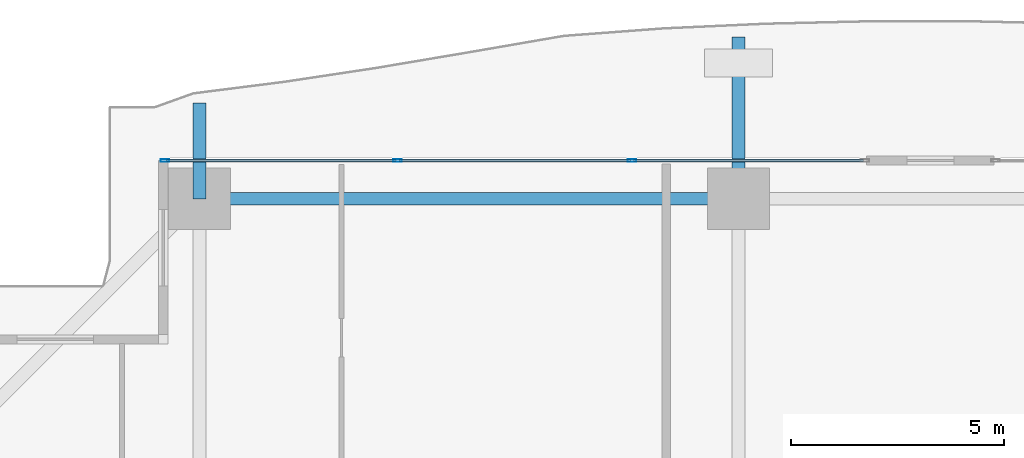
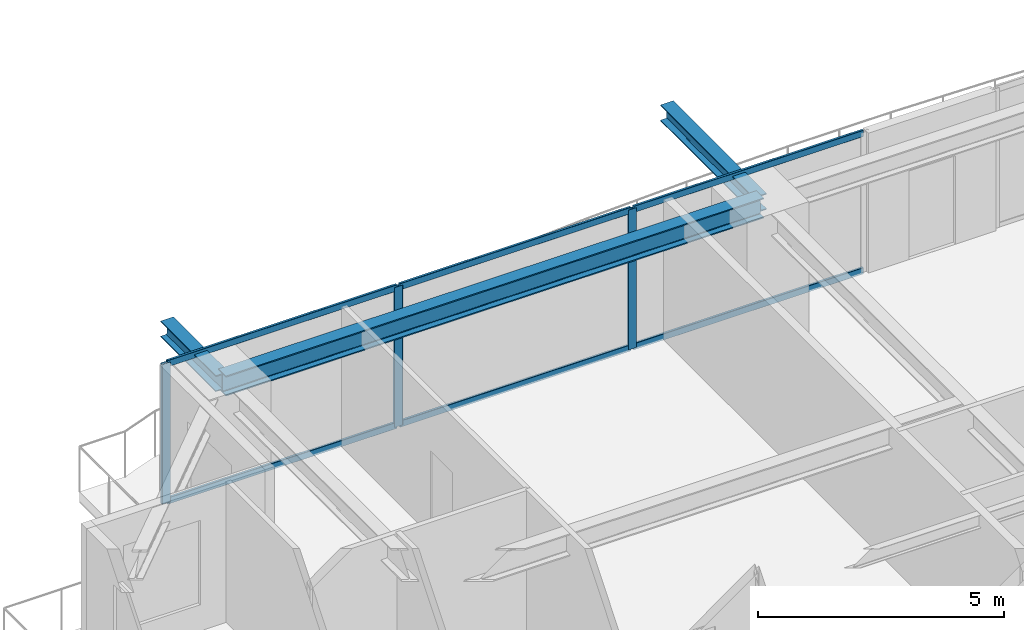
# One storey, part 20 of 38: 9 members, 3 beams, 1 element without a shape of its own.
"""IFC4 building model written with IfcOpenShell, lengths in metres."""

from ifc_helpers import new_model, si_unit, direction, frame, origin, origin_2d, place, context, subcontext, project, spatial, hollow_rectangle, i_section, extrude, source, transform, mapped, material, layer, layer_set, material_profile, profile_set, type_object, element, aggregate, save


model = new_model("IFC4")

# Units and contexts
model_context = context("Model", 3, precision=1e-05, world=origin(), true_north=direction((0.0, 1.0)))
body_context = subcontext(model_context, "Body", "Model", "MODEL_VIEW")
ifc_project = project(units=[si_unit("LENGTHUNIT", "METRE"), si_unit("AREAUNIT", "SQUARE_METRE"), si_unit("VOLUMEUNIT", "CUBIC_METRE"), si_unit("PLANEANGLEUNIT", "RADIAN"), si_unit("MASSUNIT", "GRAM", prefix="KILO")], contexts=[model_context])

# Site, building, storey
site_placement = place(None, origin())
site = spatial("IfcSite", under=ifc_project, at=site_placement, CompositionType="ELEMENT")
building_placement = place(site_placement, origin())
building = spatial("IfcBuilding", under=site, at=building_placement, Name="Serunith Strait Residences", CompositionType="ELEMENT")
storey_placement = place(building_placement, frame((0.0, 0.0, 37.949951171875)))
storey = spatial("IfcBuildingStorey", under=building, at=storey_placement, Name="L08", CompositionType="ELEMENT", Elevation=37.949951171875)

# Beams
ifc_material_1 = material(Name="Steel S355J2", Category="steel")
ifc_material_profile_1 = material_profile(ifc_material_1, i_section(OverallWidth=0.300048828125, OverallDepth=0.5, WebThickness=0.014404296875, FlangeThickness=0.028076171875, FilletRadius=0.027099609375, at=origin_2d()), Name="HEB 500")
ifc_profile_set_1 = profile_set([ifc_material_profile_1], Name="Steel S355J2")
beam_type_1 = type_object("IfcBeamType", Name="BM-HEB500", PredefinedType="BEAM", material=ifc_profile_set_1)
shared_shape_1 = source(origin(), body_context, "Body", "SweptSolid", [
    extrude(i_section(OverallWidth=0.300048828125, OverallDepth=0.5, WebThickness=0.014404296875, FlangeThickness=0.028076171875, FilletRadius=0.027099609375, at=origin_2d()), origin(), (0.0, 0.0, 1.0), 12.64990234375),
])
beam_1_placement = place(storey_placement, frame((27.89990234375, 49.300048828125, 3.237060546875), z_axis=(-1.0, 0.0, 0.0), x_axis=(0.0, -1.0, 0.0)))
element("IfcBeam", 1, at=beam_1_placement, inside=storey, type_object=beam_type_1, Name="L08 Perimeter Ring Beam 11", PredefinedType="BEAM", context=body_context, shape_type="MappedRepresentation", body=[
    mapped(shared_shape_1, transform((0.0, 0.0, 0.0), scale=1.0)),
])
ifc_material_profile_2 = material_profile(ifc_material_1, i_section(OverallWidth=0.300048828125, OverallDepth=0.39990234375, WebThickness=0.013427734375, FlangeThickness=0.02392578125, FilletRadius=0.027099609375, at=origin_2d()), Name="HEB 400")
ifc_profile_set_2 = profile_set([ifc_material_profile_2], Name="Steel S355J2")
beam_type_2 = type_object("IfcBeamType", Name="BM-HEB400", PredefinedType="BEAM", material=ifc_profile_set_2)
shared_shape_2 = source(origin(), body_context, "Body", "SweptSolid", [
    extrude(i_section(OverallWidth=0.300048828125, OverallDepth=0.39990234375, WebThickness=0.013427734375, FlangeThickness=0.02392578125, FilletRadius=0.027099609375, at=origin_2d()), origin(), (0.0, 0.0, 1.0), 3.800048828125),
])
beam_2_placement = place(storey_placement, frame((27.89990234375, 49.300048828125, 3.257080078125), z_axis=(0.0, 1.0, 0.0), x_axis=(-1.0, 0.0, 0.0)))
element("IfcBeam", 2, at=beam_2_placement, inside=storey, type_object=beam_type_2, Name="L09 Cantilevered Balcony Rib TC-N2", PredefinedType="BEAM", context=body_context, shape_type="MappedRepresentation", body=[
    mapped(shared_shape_2, transform((0.0, 0.0, 0.0), scale=1.0)),
])
shared_shape_3 = source(origin(), body_context, "Body", "SweptSolid", [
    extrude(i_section(OverallWidth=0.300048828125, OverallDepth=0.39990234375, WebThickness=0.013427734375, FlangeThickness=0.02392578125, FilletRadius=0.027099609375, at=origin_2d()), origin(), (0.0, 0.0, 1.0), 2.246337890625),
])
beam_3_placement = place(storey_placement, frame((15.25, 49.300048828125, 3.257080078125), z_axis=(0.0, 1.0, 0.0), x_axis=(-1.0, 0.0, 0.0)))
element("IfcBeam", 3, at=beam_3_placement, inside=storey, type_object=beam_type_2, Name="L09 Cantilevered Balcony Rib TC-N1", PredefinedType="BEAM", context=body_context, shape_type="MappedRepresentation", body=[
    mapped(shared_shape_3, transform((0.0, 0.0, 0.0), scale=1.0)),
])

# Curtain wall, members
ifc_material_2 = material(Name="Pale-Champagne Anodised Aluminium", Category="aluminium")
ifc_layer = layer(ifc_material_2, 0.199951171875, Name="Pale-Champagne Anodised Aluminium")
ifc_layer_set = layer_set([ifc_layer], Name="Pale-Champagne Anodised Aluminium")
curtain_wall_type = type_object("IfcCurtainWallType", Name="CW-SYS1", PredefinedType="NOTDEFINED", material=ifc_layer_set)
curtain_wall_placement = place(storey_placement, origin())
curtain_wall = element("IfcCurtainWall", 4, at=curtain_wall_placement, inside=storey, type_object=curtain_wall_type, Name="L08 N Unitised Fritted Curtain Wall", PredefinedType="NOTDEFINED")
ifc_material_profile_3 = material_profile(ifc_material_2, hollow_rectangle(XDim=0.070068359375, YDim=0.199951171875, WallThickness=0.00390625, InnerFilletRadius=0.006103515625, OuterFilletRadius=0.010009765625, at=origin_2d()), Name="ALU 200x70x4")
ifc_profile_set_3 = profile_set([ifc_material_profile_3], Name="Pale-Champagne Anodised Aluminium")
member_type_1 = type_object("IfcMemberType", Name="CW-SYS1-MULL", PredefinedType="MULLION", material=ifc_profile_set_3)
shared_shape_4 = source(origin(), body_context, "Body", "SweptSolid", [
    extrude(hollow_rectangle(XDim=0.070068359375, YDim=0.199951171875, WallThickness=0.00390625, InnerFilletRadius=0.006103515625, OuterFilletRadius=0.010009765625, at=origin_2d()), origin(), (0.0, 0.0, 1.0), 3.47509765625),
])
member_1_placement = place(storey_placement, frame((25.39990234375, 50.199951171875, 0.0), z_axis=(0.0, 0.0, 1.0), x_axis=(0.0, -1.0, 0.0)))
member_1 = element("IfcMember", 5, at=member_1_placement, type_object=member_type_1, Name="CW-1 mullion 2", PredefinedType="MULLION", context=body_context, shape_type="MappedRepresentation", body=[
    mapped(shared_shape_4, transform((0.0, 0.0, 0.0), scale=1.0)),
])
member_2_placement = place(storey_placement, frame((19.89990234375, 50.199951171875, 0.0), z_axis=(0.0, 0.0, 1.0), x_axis=(0.0, -1.0, 0.0)))
member_2 = element("IfcMember", 6, at=member_2_placement, type_object=member_type_1, Name="CW-1 mullion 3", PredefinedType="MULLION", context=body_context, shape_type="MappedRepresentation", body=[
    mapped(shared_shape_4, transform((0.0, 0.0, 0.0), scale=1.0)),
])
member_3_placement = place(storey_placement, frame((14.43505859375, 50.199951171875, 0.0), z_axis=(0.0, 0.0, 1.0), x_axis=(0.0, -1.0, 0.0)))
member_3 = element("IfcMember", 7, at=member_3_placement, type_object=member_type_1, Name="CW-1 mullion 4", PredefinedType="MULLION", context=body_context, shape_type="MappedRepresentation", body=[
    mapped(shared_shape_4, transform((0.0, 0.0, 0.0), scale=1.0)),
])
ifc_material_profile_4 = material_profile(ifc_material_2, hollow_rectangle(XDim=0.06005859375, YDim=0.159912109375, WallThickness=0.00341796875, InnerFilletRadius=0.00537109375, OuterFilletRadius=0.0087890625, at=origin_2d()), Name="ALU 160x60x3.5")
ifc_profile_set_4 = profile_set([ifc_material_profile_4], Name="Pale-Champagne Anodised Aluminium")
member_type_2 = type_object("IfcMemberType", Name="CW-SYS1-TRAN", PredefinedType="USERDEFINED", material=ifc_profile_set_4)
shared_shape_5 = source(origin(), body_context, "Body", "SweptSolid", [
    extrude(hollow_rectangle(XDim=0.06005859375, YDim=0.159912109375, WallThickness=0.00341796875, InnerFilletRadius=0.00537109375, OuterFilletRadius=0.0087890625, at=origin_2d()), origin(), (0.0, 0.0, 1.0), 5.39501953125),
])
member_4_placement = place(storey_placement, frame((30.830078125, 50.199951171875, 0.030029296875), z_axis=(-1.0, 0.0, 0.0), x_axis=(0.0, -1.0, 0.0)))
member_4 = element("IfcMember", 8, at=member_4_placement, type_object=member_type_2, Name="CW-1 transom 1.1", ObjectType="TRANSOM", PredefinedType="USERDEFINED", context=body_context, shape_type="MappedRepresentation", body=[
    mapped(shared_shape_5, transform((0.0, 0.0, 0.0), scale=1.0)),
])
member_5_placement = place(storey_placement, frame((30.830078125, 50.199951171875, 3.445068359375), z_axis=(-1.0, 0.0, 0.0), x_axis=(0.0, -1.0, 0.0)))
member_5 = element("IfcMember", 9, at=member_5_placement, type_object=member_type_2, Name="CW-1 transom 1.2", ObjectType="TRANSOM", PredefinedType="USERDEFINED", context=body_context, shape_type="MappedRepresentation", body=[
    mapped(shared_shape_5, transform((0.0, 0.0, 0.0), scale=1.0)),
])
member_6_placement = place(storey_placement, frame((19.864990234375, 50.199951171875, 0.030029296875), z_axis=(-1.0, 0.0, 0.0), x_axis=(0.0, -1.0, 0.0)))
member_6 = element("IfcMember", 10, at=member_6_placement, type_object=member_type_2, Name="CW-1 transom 3.1", ObjectType="TRANSOM", PredefinedType="USERDEFINED", context=body_context, shape_type="MappedRepresentation", body=[
    mapped(shared_shape_5, transform((0.0, 0.0, 0.0), scale=1.0)),
])
member_7_placement = place(storey_placement, frame((19.864990234375, 50.199951171875, 3.445068359375), z_axis=(-1.0, 0.0, 0.0), x_axis=(0.0, -1.0, 0.0)))
member_7 = element("IfcMember", 11, at=member_7_placement, type_object=member_type_2, Name="CW-1 transom 3.2", ObjectType="TRANSOM", PredefinedType="USERDEFINED", context=body_context, shape_type="MappedRepresentation", body=[
    mapped(shared_shape_5, transform((0.0, 0.0, 0.0), scale=1.0)),
])
shared_shape_6 = source(origin(), body_context, "Body", "SweptSolid", [
    extrude(hollow_rectangle(XDim=0.06005859375, YDim=0.159912109375, WallThickness=0.00341796875, InnerFilletRadius=0.00537109375, OuterFilletRadius=0.0087890625, at=origin_2d()), origin(), (0.0, 0.0, 1.0), 5.429931640625),
])
member_8_placement = place(storey_placement, frame((25.364990234375, 50.199951171875, 0.030029296875), z_axis=(-1.0, 0.0, 0.0), x_axis=(0.0, -1.0, 0.0)))
member_8 = element("IfcMember", 12, at=member_8_placement, type_object=member_type_2, Name="CW-1 transom 2.1", ObjectType="TRANSOM", PredefinedType="USERDEFINED", context=body_context, shape_type="MappedRepresentation", body=[
    mapped(shared_shape_6, transform((0.0, 0.0, 0.0), scale=1.0)),
])
member_9_placement = place(storey_placement, frame((25.364990234375, 50.199951171875, 3.445068359375), z_axis=(-1.0, 0.0, 0.0), x_axis=(0.0, -1.0, 0.0)))
member_9 = element("IfcMember", 13, at=member_9_placement, type_object=member_type_2, Name="CW-1 transom 2.2", ObjectType="TRANSOM", PredefinedType="USERDEFINED", context=body_context, shape_type="MappedRepresentation", body=[
    mapped(shared_shape_6, transform((0.0, 0.0, 0.0), scale=1.0)),
])
aggregate(curtain_wall, [member_1, member_2, member_3, member_4, member_5, member_8, member_9, member_6, member_7])

save(model, "model.ifc")
